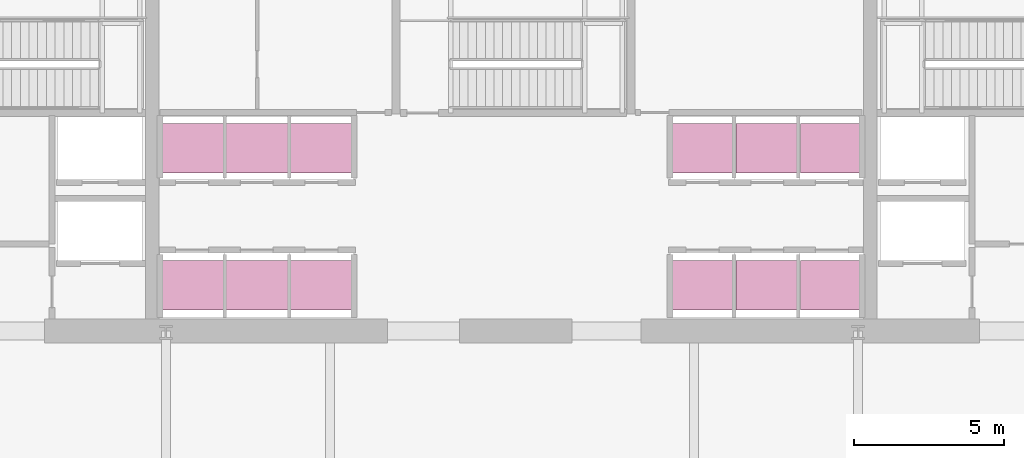
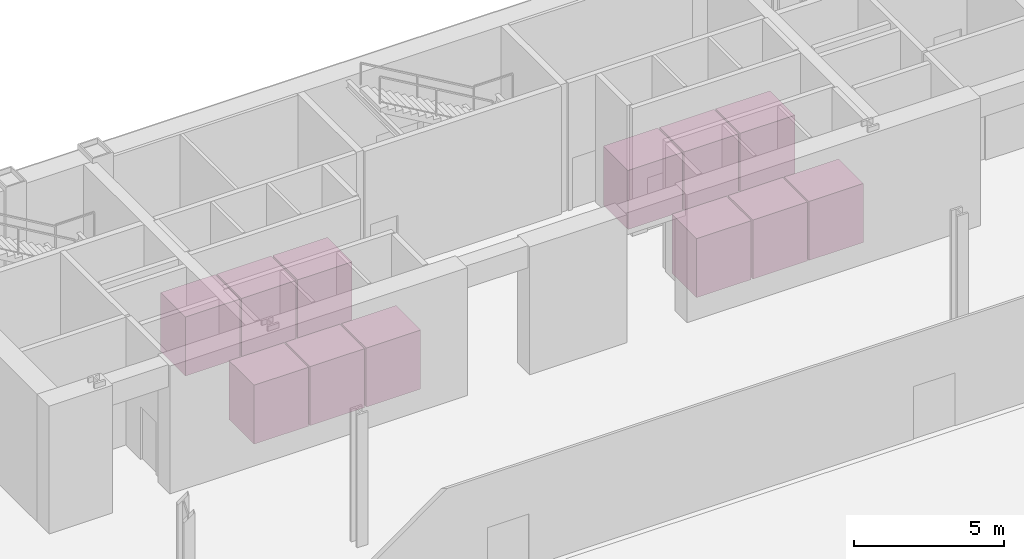
# One storey, part 16 of 16: 12 transport elements.
"""IFC4 building model written with IfcOpenShell, lengths in metres."""

from ifc_helpers import new_model, si_unit, direction, frame, origin, origin_2d, place, context, subcontext, project, spatial, rectangle, extrude, material, type_object, element, save


model = new_model("IFC4")

# Units and contexts
model_context = context("Model", 3, precision=1e-05, world=origin(), true_north=direction((0.0, 1.0)))
body_context = subcontext(model_context, "Body", "Model", "MODEL_VIEW")
ifc_project = project(units=[si_unit("LENGTHUNIT", "METRE"), si_unit("AREAUNIT", "SQUARE_METRE"), si_unit("VOLUMEUNIT", "CUBIC_METRE"), si_unit("PLANEANGLEUNIT", "RADIAN"), si_unit("MASSUNIT", "GRAM", prefix="KILO")], contexts=[model_context])

# Site, building, storey
site_placement = place(None, origin())
site = spatial("IfcSite", under=ifc_project, at=site_placement, CompositionType="ELEMENT")
building_placement = place(site_placement, origin())
building = spatial("IfcBuilding", under=site, at=building_placement, Name="Khoronbel Lancet Exchange", CompositionType="ELEMENT")
storey_placement = place(building_placement, origin())
storey = spatial("IfcBuildingStorey", under=building, at=storey_placement, Name="L00", CompositionType="ELEMENT", Elevation=0.0)

# Transport elements
ifc_material = material(Name="Stainless Steel & Bronze Elevator Car Assembly", Category="steel")
transport_element_type = type_object("IfcTransportElementType", Name="LFT-PAX", PredefinedType="ELEVATOR", material=ifc_material)
for number, where, z_axis, x_axis, name in (
    (1, (25.77001953125, 47.800048828125, 0.0), (0.0, 0.0, 1.0), (1.0, 0.0, 0.0), "Passenger elevator car PL1"),
    (2, (27.929931640625, 47.800048828125, 0.0), (0.0, 0.0, 1.0), (1.0, 0.0, 0.0), "Passenger elevator car PL2"),
    (3, (30.090087890625, 47.800048828125, 0.0), (0.0, 0.0, 1.0), (1.0, 0.0, 0.0), "Passenger elevator car PL3"),
    (4, (25.77001953125, 43.22509765625, 0.0), (0.0, 0.0, 1.0), (1.0, 0.0, 0.0), "Passenger elevator car PM1"),
    (5, (27.929931640625, 43.22509765625, 0.0), (0.0, 0.0, 1.0), (1.0, 0.0, 0.0), "Passenger elevator car PM2"),
    (6, (30.090087890625, 43.22509765625, 0.0), (0.0, 0.0, 1.0), (1.0, 0.0, 0.0), "Passenger elevator car PM3"),
    (7, (42.81005859375, 47.800048828125, 0.0), (0.0, 0.0, 1.0), (1.0, 0.0, 0.0), "Passenger elevator car PH1"),
    (8, (44.969970703125, 47.800048828125, 0.0), (0.0, 0.0, 1.0), (1.0, 0.0, 0.0), "Passenger elevator car PH2"),
    (9, (47.1298828125, 47.800048828125, 0.0), (0.0, 0.0, 1.0), (1.0, 0.0, 0.0), "Passenger elevator car PH3"),
    (10, (42.81005859375, 43.22509765625, 0.0), (0.0, 0.0, 1.0), (1.0, 0.0, 0.0), "Passenger elevator car PX1"),
    (11, (44.969970703125, 43.22509765625, 0.0), (0.0, 0.0, 1.0), (1.0, 0.0, 0.0), "Passenger elevator car PX2"),
    (12, (47.1298828125, 43.22509765625, 0.0), (0.0, 0.0, 1.0), (1.0, 0.0, 0.0), "Passenger elevator car PX3"),
):
    element("IfcTransportElement", number, at=place(storey_placement, frame(where, z_axis=z_axis, x_axis=x_axis)), inside=storey, type_object=transport_element_type, Name=name, PredefinedType="ELEVATOR", context=body_context, shape_type="SweptSolid", body=[
        extrude(rectangle(XDim=2.10009765625, YDim=1.64990234375, at=origin_2d()), origin(), (0.0, 0.0, 1.0), 2.39990234375),
    ])

save(model, "model.ifc")
